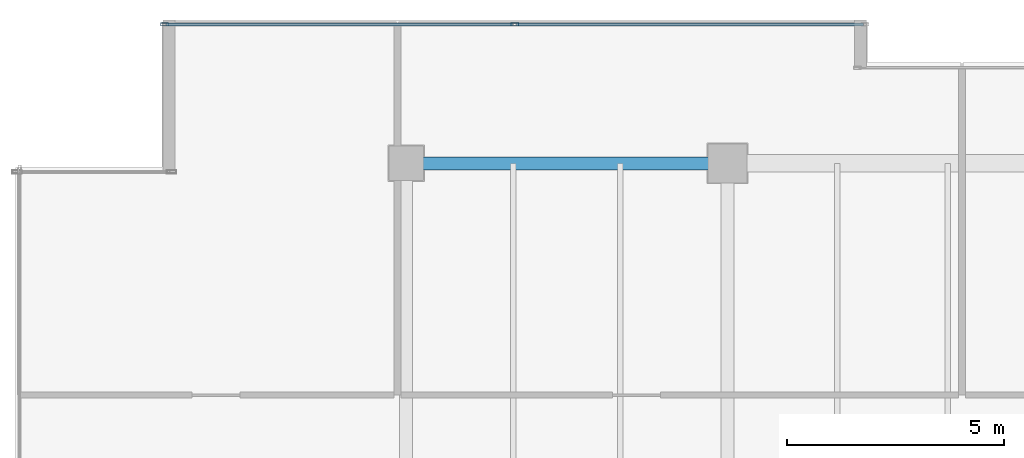
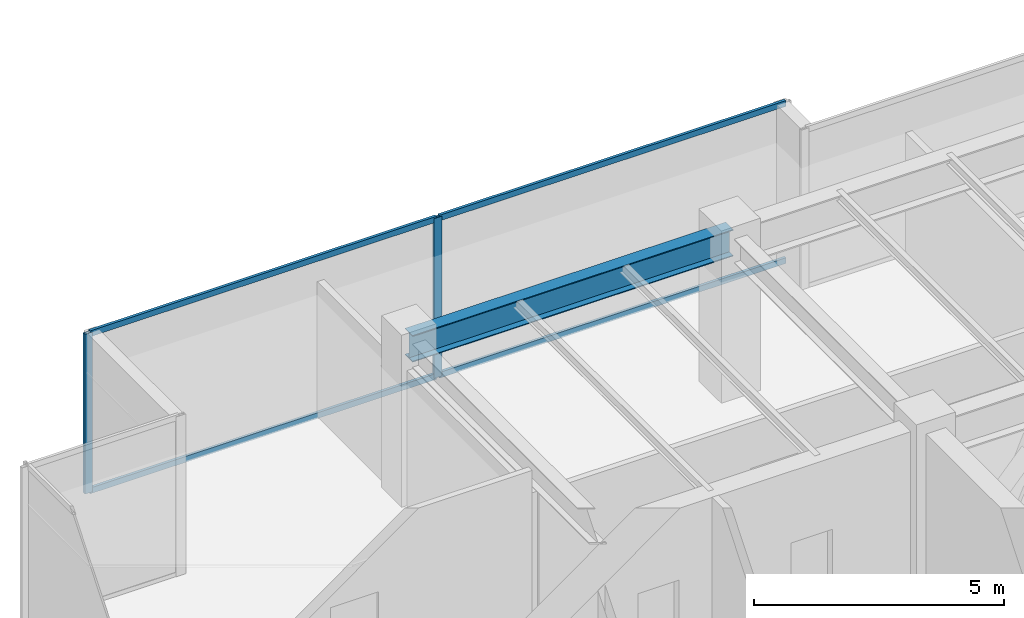
# One storey, part 19 of 32: 6 members, 1 beam, 1 element without a shape of its own.
"""IFC4 building model written with IfcOpenShell, lengths in metres."""

import ifcopenshell
import ifcopenshell.guid

model = None  # the IFC model being written
_history = None  # IfcOwnerHistory: only IFC2X3 demands one
_inside = {}  # id of a spatial element -> (the spatial element, [elements in it])
_under = {}  # id of a project, library or spatial element -> (it, [spatial elements below it])
_declared = {}  # id of a project -> (the project, [libraries it declares])
_typed = {}  # id of a type object -> (the type object, [elements of that type])
_made_of = {}  # id of a material, layer set ... -> (it, [elements and type objects made of it])


def new_model(schema):
    """Start an empty IFC model of exactly this schema.

    Asked for "IFC4X3", IfcOpenShell would pick the latest addendum, in which some entities
    have other attributes; the version numbers below select the first issue.
    IFC2X3 requires an IfcOwnerHistory on every rooted entity: one is made here for all.
    """
    global model, _history
    if schema == "IFC4X3":
        model = ifcopenshell.file(schema_version=(4, 3, 0, 0))
    else:
        model = ifcopenshell.file(schema=schema)
    _inside.clear()
    _under.clear()
    _declared.clear()
    _typed.clear()
    _made_of.clear()
    _history = None
    if model.schema == "IFC2X3":
        org = make("IfcOrganization", Name="unknown")
        user = make(
            "IfcPersonAndOrganization",
            ThePerson=make("IfcPerson", FamilyName="unknown"),
            TheOrganization=org,
        )
        app = make(
            "IfcApplication",
            ApplicationDeveloper=org,
            Version="unknown",
            ApplicationFullName="unknown",
            ApplicationIdentifier="unknown",
        )
        _history = make(
            "IfcOwnerHistory",
            OwningUser=user,
            OwningApplication=app,
            ChangeAction="ADDED",
            CreationDate=0,
        )
    return model


def make(cls, **values):
    """One entity of the class cls with the attributes given. An attribute that is None is left unset."""
    return model.create_entity(
        cls, **{name: value for name, value in values.items() if value is not None}
    )


def rooted(cls, **values):
    """An entity with a GlobalId (a new one), such as an element, a storey or a relation."""
    return make(cls, GlobalId=ifcopenshell.guid.new(), OwnerHistory=_history, **values)


def si_unit(unit_type, name, prefix=None):
    """IfcSIUnit, for example si_unit("LENGTHUNIT", "METRE", prefix="MILLI")."""
    return make("IfcSIUnit", UnitType=unit_type, Prefix=prefix, Name=name)


def assignment(units):
    """IfcUnitAssignment: the units of a project."""
    return None if units is None else make("IfcUnitAssignment", Units=units)


def point(xyz):
    """IfcCartesianPoint."""
    return None if xyz is None else make("IfcCartesianPoint", Coordinates=xyz)


def direction(xyz):
    """IfcDirection."""
    return None if xyz is None else make("IfcDirection", DirectionRatios=xyz)


def frame(location, z_axis=None, x_axis=None):
    """IfcAxis2Placement3D, a coordinate frame: its origin and axes. An axis left out is left unset."""
    return make(
        "IfcAxis2Placement3D",
        Location=point(location),
        Axis=direction(z_axis),
        RefDirection=direction(x_axis),
    )


def frame_2d(location, x_axis=None):
    """IfcAxis2Placement2D, a coordinate frame in the plane: its origin and x axis."""
    return make(
        "IfcAxis2Placement2D", Location=point(location), RefDirection=direction(x_axis)
    )


def origin():
    """The frame at (0, 0, 0) with its axes left unset."""
    return frame((0.0, 0.0, 0.0))


def origin_2d():
    """The frame at (0, 0) in the plane with its x axis left unset."""
    return frame_2d((0.0, 0.0))


def place(relative_to, where):
    """IfcLocalPlacement: puts the frame where relative to a parent placement (None: the world)."""
    return make(
        "IfcLocalPlacement", PlacementRelTo=relative_to, RelativePlacement=where
    )


def context(
    kind, dimensions, precision=None, world=None, true_north=None, identifier=None
):
    """IfcGeometricRepresentationContext, for example the 3D "Model" context."""
    return make(
        "IfcGeometricRepresentationContext",
        ContextIdentifier=identifier,
        ContextType=kind,
        CoordinateSpaceDimension=dimensions,
        Precision=precision,
        WorldCoordinateSystem=world,
        TrueNorth=true_north,
    )


def subcontext(parent, identifier, kind, view, scale=None):
    """IfcGeometricRepresentationSubContext, for example "Body" below "Model"."""
    return make(
        "IfcGeometricRepresentationSubContext",
        ContextIdentifier=identifier,
        ContextType=kind,
        ParentContext=parent,
        TargetScale=scale,
        TargetView=view,
    )


def project(units=None, contexts=None):
    """IfcProject with its units and contexts."""
    return rooted(
        "IfcProject",
        Name="project",
        RepresentationContexts=contexts,
        UnitsInContext=assignment(units),
    )


def spatial(cls, under=None, at=None, **own):
    """A site, building, storey or space (cls), placed at a placement, below another one or the project."""
    s = rooted(cls, ObjectPlacement=at, **own)
    if under is not None:
        _under.setdefault(under.id(), (under, []))[1].append(s)
    return s


def profile(cls, at=None, kind="AREA", **sizes):
    """A parametric profile (cls). Its sizes go by their IFC names, for example OverallWidth=200.0."""
    return make(cls, ProfileType=kind, Position=at, **sizes)


def hollow_rectangle(**sizes):
    """IfcRectangleHollowProfileDef."""
    return profile("IfcRectangleHollowProfileDef", **sizes)


def i_section(**sizes):
    """IfcIShapeProfileDef."""
    return profile("IfcIShapeProfileDef", **sizes)


def extrude(swept, where, along, depth):
    """IfcExtrudedAreaSolid: the profile swept, set in the frame where, extruded along a direction by depth."""
    return make(
        "IfcExtrudedAreaSolid",
        SweptArea=swept,
        Position=where,
        ExtrudedDirection=direction(along),
        Depth=depth,
    )


def shape(context_of_items, identifier, shape_type, items):
    """IfcShapeRepresentation: the items that make up one representation, for example the "Body"."""
    return make(
        "IfcShapeRepresentation",
        ContextOfItems=context_of_items,
        RepresentationIdentifier=identifier,
        RepresentationType=shape_type,
        Items=items,
    )


def source(mapping_origin, context_of_items, identifier, shape_type, items):
    """IfcRepresentationMap: a shape defined once, which mapped items show again and again."""
    return make(
        "IfcRepresentationMap",
        MappingOrigin=mapping_origin,
        MappedRepresentation=shape(context_of_items, identifier, shape_type, items),
    )


def transform(
    local_origin,
    x_axis=None,
    y_axis=None,
    z_axis=None,
    scale=None,
    scale2=None,
    scale3=None,
    uniform=True,
):
    """IfcCartesianTransformationOperator3D, or its non-uniform kind. x_axis, y_axis, z_axis: its Axis1, 2, 3."""
    if uniform:
        return make(
            "IfcCartesianTransformationOperator3D",
            Axis1=direction(x_axis),
            Axis2=direction(y_axis),
            LocalOrigin=point(local_origin),
            Scale=scale,
            Axis3=direction(z_axis),
        )
    return make(
        "IfcCartesianTransformationOperator3DnonUniform",
        Axis1=direction(x_axis),
        Axis2=direction(y_axis),
        LocalOrigin=point(local_origin),
        Scale=scale,
        Axis3=direction(z_axis),
        Scale2=scale2,
        Scale3=scale3,
    )


def mapped(mapping_source, mapping_target):
    """IfcMappedItem: shows the shape of a source again, moved by a transform."""
    return make(
        "IfcMappedItem", MappingSource=mapping_source, MappingTarget=mapping_target
    )


def material(Name=None, Category=None):
    """IfcMaterial."""
    return make("IfcMaterial", Name=Name, Category=Category)


def layer(
    of_material, thickness, ventilated=None, Name=None, Category=None, Priority=None
):
    """IfcMaterialLayer: one layer of a wall or slab, of a material (None: an air gap)."""
    return make(
        "IfcMaterialLayer",
        Material=of_material,
        LayerThickness=thickness,
        IsVentilated=ventilated,
        Name=Name,
        Category=Category,
        Priority=Priority,
    )


def layer_set(layers, Name=None):
    """IfcMaterialLayerSet."""
    return make("IfcMaterialLayerSet", MaterialLayers=layers, LayerSetName=Name)


def material_profile(
    of_material, cross_section, Name=None, Category=None, Priority=None
):
    """IfcMaterialProfile: a cross section and its material."""
    return make(
        "IfcMaterialProfile",
        Name=Name,
        Material=of_material,
        Profile=cross_section,
        Priority=Priority,
        Category=Category,
    )


def profile_set(profiles, Name=None, composite=None):
    """IfcMaterialProfileSet."""
    return make(
        "IfcMaterialProfileSet",
        Name=Name,
        MaterialProfiles=profiles,
        CompositeProfile=composite,
    )


def made_of(thing, what):
    """Note that an element or type object is made of a material, layer set ...; save() writes the relation."""
    if what is not None:
        _made_of.setdefault(what.id(), (what, []))[1].append(thing)
    return thing


def type_object(cls, material=None, **own):
    """A type object (cls), such as IfcWallType, which elements share."""
    return made_of(rooted(cls, **own), material)


def type_shapes(of_type, sources):
    """Give a type object the sources (RepresentationMaps) that its elements show as mapped items."""
    of_type.RepresentationMaps = sources


def element(
    cls,
    number,
    at=None,
    inside=None,
    cuts=None,
    type_object=None,
    material=None,
    context=None,
    identifier="Body",
    shape_type=None,
    held_by="IfcProductDefinitionShape",
    body=None,
    shapes=None,
    **own,
):
    """One element of the class cls, such as IfcWall. Its Tag is "e" and its number.

    at: its placement. inside: the storey or other place that contains it. cuts: it is an
    opening in that element (IfcRelVoidsElement). A single representation is given by context,
    identifier, shape_type and body (its items); several are given by shapes. held_by: the class
    of the entity that holds the representations. save() writes the other relations.
    """
    e = rooted(cls, Tag="e%d" % number, ObjectPlacement=at, **own)
    if body is not None:
        shapes = [shape(context, identifier, shape_type, body)]
    if shapes is not None:
        e.Representation = make(held_by, Representations=shapes)
    if inside is not None:
        _inside.setdefault(inside.id(), (inside, []))[1].append(e)
    if cuts is not None:
        rooted(
            "IfcRelVoidsElement", RelatingBuildingElement=cuts, RelatedOpeningElement=e
        )
    if type_object is not None:
        _typed.setdefault(type_object.id(), (type_object, []))[1].append(e)
    return made_of(e, material)


def aggregate(whole, parts):
    """IfcRelAggregates: a whole, such as a stair, and the parts it consists of."""
    return rooted("IfcRelAggregates", RelatingObject=whole, RelatedObjects=parts)


def save(model, path):
    """Write the relations noted so far, then the file.

    IfcRelAggregates (storeys below a building ...), IfcRelContainedInSpatialStructure (elements
    in a storey), IfcRelDefinesByType, IfcRelAssociatesMaterial and IfcRelDeclares: one each for
    every whole, place, type object, material and project.
    """
    for whole, parts in _under.values():
        aggregate(whole, parts)
    for where, things in _inside.values():
        rooted(
            "IfcRelContainedInSpatialStructure",
            RelatedElements=things,
            RelatingStructure=where,
        )
    for kind, things in _typed.values():
        rooted("IfcRelDefinesByType", RelatedObjects=things, RelatingType=kind)
    for what, things in _made_of.values():
        rooted("IfcRelAssociatesMaterial", RelatedObjects=things, RelatingMaterial=what)
    for by, libraries in _declared.values():
        rooted("IfcRelDeclares", RelatingContext=by, RelatedDefinitions=libraries)
    model.write(path)


model = new_model("IFC4")

# Units and contexts
model_context = context("Model", 3, precision=1e-05, world=origin(), true_north=direction((0.0, 1.0)))
body_context = subcontext(model_context, "Body", "Model", "MODEL_VIEW")
ifc_project = project(units=[si_unit("LENGTHUNIT", "METRE"), si_unit("AREAUNIT", "SQUARE_METRE"), si_unit("VOLUMEUNIT", "CUBIC_METRE"), si_unit("PLANEANGLEUNIT", "RADIAN"), si_unit("MASSUNIT", "GRAM", prefix="KILO")], contexts=[model_context])

# Site, building, storey
site_placement = place(None, origin())
site = spatial("IfcSite", under=ifc_project, at=site_placement, CompositionType="ELEMENT")
building_placement = place(site_placement, origin())
building = spatial("IfcBuilding", under=site, at=building_placement, Name="Haelvirn Gate Laboratories", CompositionType="ELEMENT")
storey_placement = place(building_placement, frame((0.0, 0.0, 301.800048828125)))
storey = spatial("IfcBuildingStorey", under=building, at=storey_placement, Name="L72", CompositionType="ELEMENT", Elevation=301.800048828125)

# Beam
ifc_material_1 = material(Name="Steel SM355", Category="steel")
ifc_material_profile_1 = material_profile(ifc_material_1, i_section(OverallWidth=0.300048828125, OverallDepth=0.64990234375, WebThickness=0.012939453125, FlangeThickness=0.02197265625, at=origin_2d()), Name="H-650x300x13x22")
ifc_profile_set_1 = profile_set([ifc_material_profile_1], Name="Steel SM355")
beam_type = type_object("IfcBeamType", Name="BM-G-650", PredefinedType="BEAM", material=ifc_profile_set_1)
shared_shape_1 = source(origin(), body_context, "Body", "SweptSolid", [
    extrude(i_section(OverallWidth=0.300048828125, OverallDepth=0.64990234375, WebThickness=0.012939453125, FlangeThickness=0.02197265625, at=origin_2d()), origin(), (0.0, 0.0, 1.0), 7.39990234375),
])
type_shapes(beam_type, [shared_shape_1])
beam_placement = place(storey_placement, frame((14.800048828125, 41.60009765625, 3.574951171875), z_axis=(1.0, 0.0, 0.0), x_axis=(0.0, 1.0, 0.0)))
element("IfcBeam", 1, at=beam_placement, inside=storey, type_object=beam_type, Name="L72 Primary Girder Y41.6 (14.8-22.2)", PredefinedType="BEAM", context=body_context, shape_type="MappedRepresentation", body=[
    mapped(shared_shape_1, transform((0.0, 0.0, 0.0), scale=1.0)),
])

# Curtain wall, members
ifc_material_2 = material(Name="Anodised bronze unitised aluminium & triple low-E glass", Category="aluminium")
ifc_layer = layer(ifc_material_2, 0.176025390625, Name="CW-SYS-4")
ifc_layer_set = layer_set([ifc_layer], Name="Anodised bronze unitised aluminium & triple low-E glass")
curtain_wall_type = type_object("IfcCurtainWallType", Name="CW-SYS-4", PredefinedType="NOTDEFINED", material=ifc_layer_set)
curtain_wall_placement = place(storey_placement, origin())
curtain_wall = element("IfcCurtainWall", 2, at=curtain_wall_placement, inside=storey, type_object=curtain_wall_type, Name="L72 Unitised Curtain Wall CW-L72-P0-E14-1", PredefinedType="NOTDEFINED")
ifc_material_3 = material(Name="Extruded aluminium 6063-T6 (anodised bronze)", Category="aluminium")
ifc_material_profile_2 = material_profile(ifc_material_3, hollow_rectangle(XDim=0.070068359375, YDim=0.179931640625, WallThickness=0.0048828125, at=origin_2d()), Name="CWM-180x70x5")
ifc_profile_set_2 = profile_set([ifc_material_profile_2], Name="Extruded aluminium 6063-T6 (anodised bronze)")
member_type_1 = type_object("IfcMemberType", Name="CWM-T180", PredefinedType="MULLION", material=ifc_profile_set_2)
shared_shape_2 = source(origin(), body_context, "Body", "SweptSolid", [
    extrude(hollow_rectangle(XDim=0.070068359375, YDim=0.179931640625, WallThickness=0.0048828125, at=origin_2d()), origin(), (0.0, 0.0, 1.0), 3.89990234375),
])
type_shapes(member_type_1, [shared_shape_2])
member_1_placement = place(storey_placement, frame((9.235107421875, 44.800048828125, 0.0), z_axis=(0.0, 0.0, 1.0), x_axis=(0.0, 1.0, 0.0)))
member_1 = element("IfcMember", 3, at=member_1_placement, type_object=member_type_1, Name="CW4 mullion 1", PredefinedType="MULLION", context=body_context, shape_type="MappedRepresentation", body=[
    mapped(shared_shape_2, transform((0.0, 0.0, 0.0), scale=1.0)),
])
member_2_placement = place(storey_placement, frame((17.300048828125, 44.800048828125, 0.0), z_axis=(0.0, 0.0, 1.0), x_axis=(0.0, 1.0, 0.0)))
member_2 = element("IfcMember", 4, at=member_2_placement, type_object=member_type_1, Name="CW4 mullion 2", PredefinedType="MULLION", context=body_context, shape_type="MappedRepresentation", body=[
    mapped(shared_shape_2, transform((0.0, 0.0, 0.0), scale=1.0)),
])
ifc_material_profile_3 = material_profile(ifc_material_3, hollow_rectangle(XDim=0.06494140625, YDim=0.139892578125, WallThickness=0.00390625, at=origin_2d()), Name="CWT-140x65x4")
ifc_profile_set_3 = profile_set([ifc_material_profile_3], Name="Extruded aluminium 6063-T6 (anodised bronze)")
member_type_2 = type_object("IfcMemberType", Name="CWT-T140", PredefinedType="USERDEFINED", material=ifc_profile_set_3)
shared_shape_3 = source(origin(), body_context, "Body", "SweptSolid", [
    extrude(hollow_rectangle(XDim=0.06494140625, YDim=0.139892578125, WallThickness=0.00390625, at=origin_2d()), origin(), (0.0, 0.0, 1.0), 7.9951171875),
])
member_3_placement = place(storey_placement, frame((17.3349609375, 44.800048828125, 0.032470703125), z_axis=(1.0, 0.0, 0.0), x_axis=(0.0, 1.0, 0.0)))
member_3 = element("IfcMember", 5, at=member_3_placement, type_object=member_type_2, Name="CW4 transom 2.1", ObjectType="TRANSOM", PredefinedType="USERDEFINED", context=body_context, shape_type="MappedRepresentation", body=[
    mapped(shared_shape_3, transform((0.0, 0.0, 0.0), scale=1.0)),
])
member_4_placement = place(storey_placement, frame((17.3349609375, 44.800048828125, 3.867431640625), z_axis=(1.0, 0.0, 0.0), x_axis=(0.0, 1.0, 0.0)))
member_4 = element("IfcMember", 6, at=member_4_placement, type_object=member_type_2, Name="CW4 transom 2.2", ObjectType="TRANSOM", PredefinedType="USERDEFINED", context=body_context, shape_type="MappedRepresentation", body=[
    mapped(shared_shape_3, transform((0.0, 0.0, 0.0), scale=1.0)),
])
shared_shape_4 = source(origin(), body_context, "Body", "SweptSolid", [
    extrude(hollow_rectangle(XDim=0.06494140625, YDim=0.139892578125, WallThickness=0.00390625, at=origin_2d()), origin(), (0.0, 0.0, 1.0), 7.994873046875),
])
type_shapes(member_type_2, [shared_shape_3, shared_shape_4])
member_5_placement = place(storey_placement, frame((9.27001953125, 44.800048828125, 0.032470703125), z_axis=(1.0, 0.0, 0.0), x_axis=(0.0, 1.0, 0.0)))
member_5 = element("IfcMember", 7, at=member_5_placement, type_object=member_type_2, Name="CW4 transom 1.1", ObjectType="TRANSOM", PredefinedType="USERDEFINED", context=body_context, shape_type="MappedRepresentation", body=[
    mapped(shared_shape_4, transform((0.0, 0.0, 0.0), scale=1.0)),
])
member_6_placement = place(storey_placement, frame((9.27001953125, 44.800048828125, 3.867431640625), z_axis=(1.0, 0.0, 0.0), x_axis=(0.0, 1.0, 0.0)))
member_6 = element("IfcMember", 8, at=member_6_placement, type_object=member_type_2, Name="CW4 transom 1.2", ObjectType="TRANSOM", PredefinedType="USERDEFINED", context=body_context, shape_type="MappedRepresentation", body=[
    mapped(shared_shape_4, transform((0.0, 0.0, 0.0), scale=1.0)),
])
aggregate(curtain_wall, [member_1, member_2, member_5, member_6, member_3, member_4])

save(model, "model.ifc")
